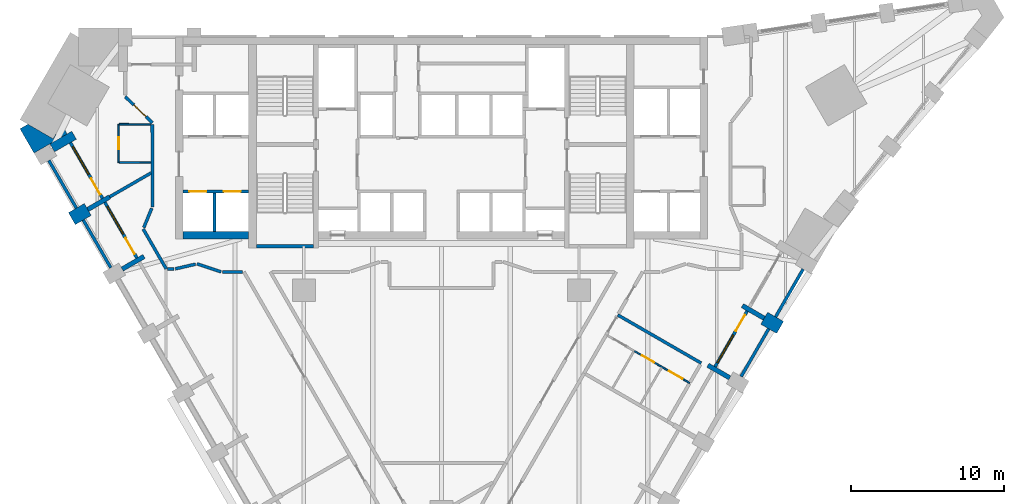
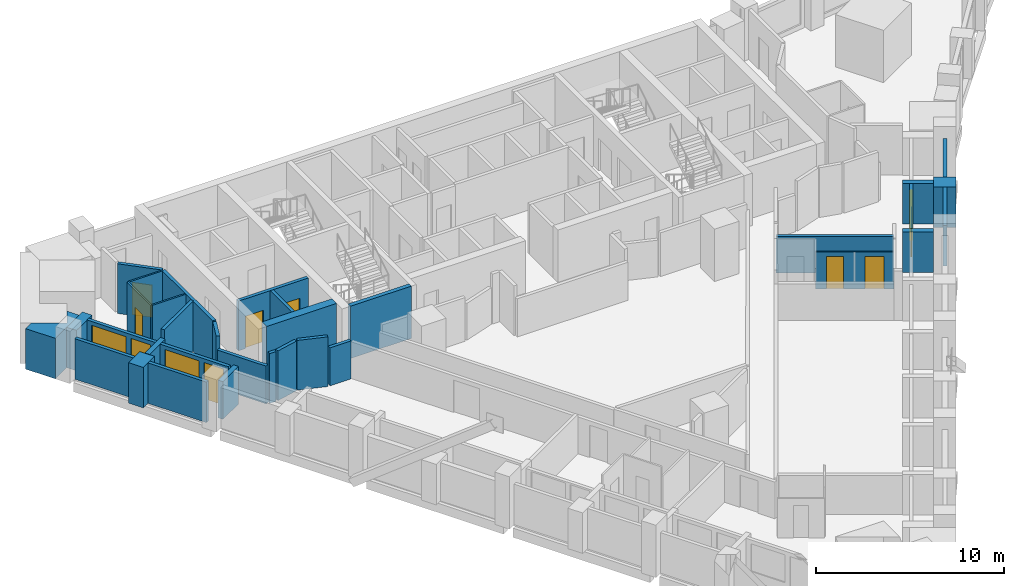
# One storey, part 5 of 10: 33 walls, 9 doors, 3 windows, 12 openings.
"""IFC4 building model written with IfcOpenShell, lengths in metres."""

from ifc_helpers import new_model, si_unit, direction, frame, frame_2d, origin, place, context, subcontext, project, spatial, polyline, rectangle, outline, extrude, material, layer, layer_set, type_object, element, fill, save


model = new_model("IFC4")

# Units and contexts
model_context = context("Model", 3, precision=1e-05, world=origin(), true_north=direction((0.0, 1.0)))
body_context = subcontext(model_context, "Body", "Model", "MODEL_VIEW")
ifc_project = project(units=[si_unit("LENGTHUNIT", "METRE"), si_unit("AREAUNIT", "SQUARE_METRE"), si_unit("VOLUMEUNIT", "CUBIC_METRE"), si_unit("PLANEANGLEUNIT", "RADIAN"), si_unit("MASSUNIT", "GRAM", prefix="KILO")], contexts=[model_context])

# Site, building, storey
site_placement = place(None, origin())
site = spatial("IfcSite", under=ifc_project, at=site_placement, CompositionType="ELEMENT")
building_placement = place(site_placement, origin())
building = spatial("IfcBuilding", under=site, at=building_placement, Name="Calabash Gate Tower", CompositionType="ELEMENT")
storey_placement = place(building_placement, frame((0.0, 0.0, 105.39990234375)))
storey = spatial("IfcBuildingStorey", under=building, at=storey_placement, Name="L23", CompositionType="ELEMENT", Elevation=105.39990234375)

# Walls
ifc_material_1 = material(Name="Terracotta brick masonry, exposed face", Category="masonry")
ifc_layer_1 = layer(ifc_material_1, 2.5)
ifc_layer_set_1 = layer_set([ifc_layer_1], Name="Brick corner mass wall 2500")
wall_type_1 = type_object("IfcWallType", Name="Brick corner mass wall 2500", PredefinedType="SOLIDWALL", material=ifc_layer_set_1)
wall_1_placement = place(storey_placement, origin())
element("IfcWall", 1, at=wall_1_placement, inside=storey, type_object=wall_type_1, Name="Brick corner pier S06 3c", PredefinedType="SOLIDWALL", context=body_context, shape_type="SweptSolid", body=[
    extrude(outline(polyline([(-24.837158203125, 13.3544921875), (-25.3857421875, 12.404541015625), (-27.03125, 13.3544921875), (-27.55078125, 13.054443359375), (-26.634521484375, 11.467529296875), (-24.469482421875, 12.717529296875), (-24.837158203125, 13.3544921875)])), origin(), (0.0, 0.0, 1.0), 2.630126953125),
])
ifc_material_2 = material(Name="Terracotta brick masonry, exposed face", Category="masonry")
ifc_layer_2 = layer(ifc_material_2, 1.199951171875)
ifc_layer_set_2 = layer_set([ifc_layer_2], Name="Brick end wall 1200")
wall_type_2 = type_object("IfcWallType", Name="Brick end wall 1200", PredefinedType="SOLIDWALL", material=ifc_layer_set_2)
wall_2_placement = place(storey_placement, frame((-24.159423828125, 7.1806640625, 0.0), z_axis=(0.0, 0.0, 1.0), x_axis=(0.866043267704, 0.499969057507, 0.0)))
element("IfcWall", 2, at=wall_2_placement, inside=storey, type_object=wall_type_2, Name="Brick pier S06 SW0.1", PredefinedType="SOLIDWALL", context=body_context, shape_type="SweptSolid", body=[
    extrude(rectangle(XDim=1.19970703125, YDim=0.89990234375, at=frame_2d((0.599853515625, 0.0))), origin(), (0.0, 0.0, 1.0), 2.630126953125),
])
wall_3_placement = place(storey_placement, frame((22.13671875, 0.0703125, 0.0), z_axis=(0.0, 0.0, 1.0), x_axis=(-0.865955154139, 0.50012165622, 0.0)))
element("IfcWall", 3, at=wall_3_placement, inside=storey, type_object=wall_type_2, Name="Brick pier S06 SE2.7", PredefinedType="SOLIDWALL", context=body_context, shape_type="SweptSolid", body=[
    extrude(rectangle(XDim=1.199951171875, YDim=0.89990234375, at=frame_2d((0.60009765625, 0.0))), origin(), (0.0, 0.0, 1.0), 2.630126953125),
])
ifc_material_3 = material(Name="Terracotta brick masonry, exposed face", Category="masonry")
ifc_layer_3 = layer(ifc_material_3, 0.300048828125)
ifc_layer_set_3 = layer_set([ifc_layer_3], Name="Brick loggia cheek wall 300")
wall_type_3 = type_object("IfcWallType", Name="Brick loggia cheek wall 300", PredefinedType="SOLIDWALL", material=ifc_layer_set_3)
wall_4_placement = place(storey_placement, frame((-25.4453125, 11.8076171875, 0.0), z_axis=(0.0, 0.0, 1.0), x_axis=(0.866040211805, 0.499974350878, 0.0)))
element("IfcWall", 4, at=wall_4_placement, inside=storey, type_object=wall_type_3, Name="Loggia cheek S06 SW0.0", PredefinedType="SOLIDWALL", context=body_context, shape_type="SweptSolid", body=[
    extrude(rectangle(XDim=1.64990234375, YDim=0.60009765625, at=frame_2d((0.824951171875, 0.0))), origin(), (0.0, 0.0, 1.0), 2.630126953125),
])
wall_5_placement = place(storey_placement, frame((-23.120361328125, 7.780517578125, 0.0), z_axis=(0.0, 0.0, 1.0), x_axis=(0.865976140824, 0.500085316245, 0.0)))
element("IfcWall", 5, at=wall_5_placement, inside=storey, type_object=wall_type_3, Name="Loggia cheek S06 SW0.1", PredefinedType="SOLIDWALL", context=body_context, shape_type="SweptSolid", body=[
    extrude(rectangle(XDim=1.650146484375, YDim=0.300048828125, at=frame_2d((0.8251953125, 0.0))), origin(), (0.0, 0.0, 1.0), 2.650146484375),
])
wall_6_placement = place(storey_placement, frame((-20.870361328125, 3.883544921875, 0.0), z_axis=(0.0, 0.0, 1.0), x_axis=(0.866040211805, 0.499974350878, 0.0)))
element("IfcWall", 6, at=wall_6_placement, inside=storey, type_object=wall_type_3, Name="Loggia cheek S06 SW0.2", PredefinedType="SOLIDWALL", context=body_context, shape_type="SweptSolid", body=[
    extrude(rectangle(XDim=1.64990234375, YDim=0.300048828125, at=frame_2d((0.824951171875, 0.0))), origin(), (0.0, 0.0, 1.0), 2.4501953125),
])
wall_7_placement = place(storey_placement, frame((17.418701171875, -2.40185546875, 0.0), z_axis=(0.0, 0.0, 1.0), x_axis=(0.866003217194, -0.500038426333, 0.0)))
element("IfcWall", 7, at=wall_7_placement, inside=storey, type_object=wall_type_3, Name="Loggia cheek S06 SE2.6", PredefinedType="SOLIDWALL", context=body_context, shape_type="SweptSolid", body=[
    extrude(rectangle(XDim=1.649658203125, YDim=0.300048828125, at=frame_2d((0.82470703125, 0.0))), origin(), (0.0, 0.0, 1.0), 2.650146484375),
])
wall_8_placement = place(storey_placement, frame((21.09765625, 0.67041015625, 0.0), z_axis=(0.0, 0.0, 1.0), x_axis=(-0.866040211805, 0.499974350878, 0.0)))
element("IfcWall", 8, at=wall_8_placement, inside=storey, type_object=wall_type_3, Name="Loggia cheek S06 SE2.7", PredefinedType="SOLIDWALL", context=body_context, shape_type="SweptSolid", body=[
    extrude(rectangle(XDim=1.64990234375, YDim=0.300048828125, at=frame_2d((0.824951171875, 0.0))), origin(), (0.0, 0.0, 1.0), 2.650146484375),
])
ifc_material_4 = material(Name="Concrete C80/95", Category="concrete")
ifc_layer_4 = layer(ifc_material_4, 0.25)
ifc_layer_set_4 = layer_set([ifc_layer_4], Name="Core wall 250 Concrete C80/95")
wall_type_4 = type_object("IfcWallType", Name="Core wall 250 Concrete C80/95", PredefinedType="SHEAR", material=ifc_layer_set_4)
wall_9_placement = place(storey_placement, frame((-12.10009765625, 5.377685546875, 0.0), z_axis=(0.0, 0.0, 1.0), x_axis=(1.0, 0.0, 0.0)))
element("IfcWall", 9, at=wall_9_placement, inside=storey, type_object=wall_type_4, Name="Core wall Z2-SSW L23", PredefinedType="SHEAR", context=body_context, shape_type="SweptSolid", body=[
    extrude(rectangle(XDim=3.75, YDim=0.25, at=frame_2d((1.875, 0.0))), origin(), (0.0, 0.0, 1.0), 3.400146484375),
])
ifc_material_5 = material(Name="Concrete C80/95", Category="concrete")
ifc_layer_5 = layer(ifc_material_5, 0.5)
ifc_layer_set_5 = layer_set([ifc_layer_5], Name="Core wall 500 Concrete C80/95")
wall_type_5 = type_object("IfcWallType", Name="Core wall 500 Concrete C80/95", PredefinedType="SHEAR", material=ifc_layer_set_5)
wall_10_placement = place(storey_placement, frame((-12.60009765625, 6.1025390625, 0.0), z_axis=(0.0, 0.0, 1.0), x_axis=(-1.0, 0.0, 0.0)))
element("IfcWall", 10, at=wall_10_placement, inside=storey, type_object=wall_type_5, Name="Core wall Z2-SW L23", PredefinedType="SHEAR", context=body_context, shape_type="SweptSolid", body=[
    extrude(rectangle(XDim=4.2998046875, YDim=0.5, at=frame_2d((2.14990234375, 0.0))), origin(), (0.0, 0.0, 1.0), 3.400146484375),
])

# Wall, openings, doors
ifc_material_6 = material(Name="Gypsum board on steel studs, mineral wool", Category="steel")
ifc_layer_6 = layer(ifc_material_6, 0.10009765625)
ifc_layer_set_6 = layer_set([ifc_layer_6], Name="Partition 100 gypsum board")
wall_type_6 = type_object("IfcWallType", Name="Partition 100 gypsum board", PredefinedType="PARTITIONING", material=ifc_layer_set_6)
wall_11_placement = place(storey_placement, frame((12.59326171875, -1.46337890625, 0.0), z_axis=(0.0, 0.0, 1.0), x_axis=(0.866022890907, -0.500004352405, 0.0)))
wall_11 = element("IfcWall", 11, at=wall_11_placement, inside=storey, type_object=wall_type_6, Name="Partition", PredefinedType="PARTITIONING", context=body_context, shape_type="SweptSolid", body=[
    extrude(rectangle(XDim=4.1982421875, YDim=0.10009765625, at=frame_2d((2.09912109375, 0.0))), origin(), (0.0, 0.0, 1.0), 2.38427734375),
])
opening_1_placement = place(wall_11_placement, frame((0.59814453125, 0.0, 0.0)))
opening_1 = element("IfcOpeningElement", 12, at=opening_1_placement, cuts=wall_11, Name="Opening 22-24-014", PredefinedType="OPENING", context=body_context, shape_type="SweptSolid", body=[
    extrude(rectangle(XDim=0.89990234375, YDim=2.10009765625, at=frame_2d((0.449951171875, 1.050048828125))), frame((0.0, 0.06005859375, 0.0), z_axis=(0.0, -1.0, 0.0), x_axis=(1.0, 0.0, 0.0)), (0.0, 0.0, 1.0), 0.1201171875),
])
opening_2_placement = place(wall_11_placement, frame((2.648193359375, 0.0, 0.0)))
opening_2 = element("IfcOpeningElement", 13, at=opening_2_placement, cuts=wall_11, Name="Opening 22-24-015", PredefinedType="OPENING", context=body_context, shape_type="SweptSolid", body=[
    extrude(rectangle(XDim=1.0, YDim=2.10009765625, at=frame_2d((0.5, 1.050048828125))), frame((0.0, 0.06005859375, 0.0), z_axis=(0.0, -1.0, 0.0), x_axis=(1.0, 0.0, 0.0)), (0.0, 0.0, 1.0), 0.1201171875),
])
ifc_material_7 = material(Name="Painted timber door", Category="wood")
door_type_1 = type_object("IfcDoorType", Name="WD1 WC door 900x2100", OperationType="NOTDEFINED", PredefinedType="DOOR", material=ifc_material_7)
door_1_placement = place(opening_1_placement, origin())
door_1 = element("IfcDoor", 14, at=door_1_placement, inside=storey, type_object=door_type_1, Name="WC door", OperationType="SINGLE_SWING_RIGHT", OverallHeight=2.10009765625, OverallWidth=0.89990234375, PredefinedType="DOOR", context=body_context, shape_type="SweptSolid", body=[
    extrude(rectangle(XDim=0.89990234375, YDim=2.10009765625, at=frame_2d((0.449951171875, 1.050048828125))), frame((0.0, 0.02490234375, 0.0), z_axis=(0.0, -1.0, 0.0), x_axis=(1.0, 0.0, 0.0)), (0.0, 0.0, 1.0), 0.050048828125),
])
fill(opening_1, door_1)
ifc_material_8 = material(Name="Painted timber door", Category="wood")
door_type_2 = type_object("IfcDoorType", Name="WD2 Accessible WC door 1000x2100", OperationType="NOTDEFINED", PredefinedType="DOOR", material=ifc_material_8)
door_2_placement = place(opening_2_placement, origin())
door_2 = element("IfcDoor", 15, at=door_2_placement, inside=storey, type_object=door_type_2, Name="Accessible WC door", OperationType="SINGLE_SWING_LEFT", OverallHeight=2.10009765625, OverallWidth=1.0, PredefinedType="DOOR", context=body_context, shape_type="SweptSolid", body=[
    extrude(rectangle(XDim=1.0, YDim=2.10009765625, at=frame_2d((0.5, 1.050048828125))), frame((0.0, 0.02490234375, 0.0), z_axis=(0.0, -1.0, 0.0), x_axis=(1.0, 0.0, 0.0)), (0.0, 0.0, 1.0), 0.050048828125),
])
fill(opening_2, door_2)

# Wall
wall_12_placement = place(storey_placement, frame((-21.050537109375, 10.852294921875, 0.0), z_axis=(0.0, 0.0, 1.0), x_axis=(0.99999965253, 0.000833630769, 0.0)))
element("IfcWall", 16, at=wall_12_placement, inside=storey, type_object=wall_type_6, Name="Partition", PredefinedType="PARTITIONING", context=body_context, shape_type="SweptSolid", body=[
    extrude(rectangle(XDim=2.050048828125, YDim=0.10009765625, at=frame_2d((1.02490234375, 0.0))), origin(), (0.0, 0.0, 1.0), 3.22998046875),
])

# Wall, opening, door
wall_13_placement = place(storey_placement, frame((-21.1005859375, 10.852294921875, 0.0), z_axis=(0.0, 0.0, 1.0), x_axis=(0.0, 1.0, 0.0)))
wall_13 = element("IfcWall", 17, at=wall_13_placement, inside=storey, type_object=wall_type_6, Name="Partition", PredefinedType="PARTITIONING", context=body_context, shape_type="SweptSolid", body=[
    extrude(rectangle(XDim=2.5, YDim=0.10009765625, at=frame_2d((1.25, 0.0))), origin(), (0.0, 0.0, 1.0), 3.22998046875),
])
opening_3_placement = place(wall_13_placement, frame((0.85009765625, 0.0, 0.0)))
opening_3 = element("IfcOpeningElement", 18, at=opening_3_placement, cuts=wall_13, Name="Opening 22-24-009", PredefinedType="OPENING", context=body_context, shape_type="SweptSolid", body=[
    extrude(rectangle(XDim=0.800048828125, YDim=2.10009765625, at=frame_2d((0.39990234375, 1.050048828125))), frame((0.0, 0.06005859375, 0.0), z_axis=(0.0, -1.0, 0.0), x_axis=(1.0, 0.0, 0.0)), (0.0, 0.0, 1.0), 0.1201171875),
])
ifc_material_9 = material(Name="Painted timber door", Category="wood")
door_type_3 = type_object("IfcDoorType", Name="GD5 En-suite door 800x2100", OperationType="NOTDEFINED", PredefinedType="DOOR", material=ifc_material_9)
door_3_placement = place(opening_3_placement, origin())
door_3 = element("IfcDoor", 19, at=door_3_placement, inside=storey, type_object=door_type_3, Name="En-suite door", OperationType="SINGLE_SWING_RIGHT", OverallHeight=2.10009765625, OverallWidth=0.800048828125, PredefinedType="DOOR", context=body_context, shape_type="SweptSolid", body=[
    extrude(rectangle(XDim=0.800048828125, YDim=2.10009765625, at=frame_2d((0.39990234375, 1.050048828125))), frame((0.0, 0.02490234375, 0.0), z_axis=(0.0, -1.0, 0.0), x_axis=(1.0, 0.0, 0.0)), (0.0, 0.0, 1.0), 0.050048828125),
])
fill(opening_3, door_3)

# Walls
wall_14_placement = place(storey_placement, frame((-21.050537109375, 13.352294921875, 0.0), z_axis=(0.0, 0.0, 1.0), x_axis=(0.99999965253, -0.000833630769, 0.0)))
element("IfcWall", 20, at=wall_14_placement, inside=storey, type_object=wall_type_6, Name="Partition", PredefinedType="PARTITIONING", context=body_context, shape_type="SweptSolid", body=[
    extrude(rectangle(XDim=2.050048828125, YDim=0.10009765625, at=frame_2d((1.02490234375, 0.0))), origin(), (0.0, 0.0, 1.0), 3.22998046875),
])
ifc_material_10 = material(Name="Gypsum board on steel studs, mineral wool", Category="steel")
ifc_layer_7 = layer(ifc_material_10, 0.199951171875)
ifc_layer_set_7 = layer_set([ifc_layer_7], Name="Partition 200 gypsum board EI 60")
wall_type_7 = type_object("IfcWallType", Name="Partition 200 gypsum board EI 60", PredefinedType="PARTITIONING", material=ifc_layer_set_7)
wall_15_placement = place(storey_placement, frame((11.52490234375, 0.885986328125, 0.0), z_axis=(0.0, 0.0, 1.0), x_axis=(0.866148153111, -0.499787331635, 0.0)))
element("IfcWall", 21, at=wall_15_placement, inside=storey, type_object=wall_type_7, Name="Partition", PredefinedType="PARTITIONING", context=body_context, shape_type="SweptSolid", body=[
    extrude(rectangle(XDim=6.298095703125, YDim=0.199951171875, at=frame_2d((3.14892578125, 0.0))), origin(), (0.0, 0.0, 1.0), 2.38427734375),
])
wall_16_placement = place(storey_placement, frame((-14.300048828125, 3.699462890625, 0.0), z_axis=(0.0, 0.0, 1.0), x_axis=(1.0, 0.0, 0.0)))
element("IfcWall", 22, at=wall_16_placement, inside=storey, type_object=wall_type_7, Name="Partition", PredefinedType="PARTITIONING", context=body_context, shape_type="SweptSolid", body=[
    extrude(rectangle(XDim=1.287353515625, YDim=0.199951171875, at=frame_2d((0.6435546875, 0.0))), origin(), (0.0, 0.0, 1.0), 2.4736328125),
])
wall_17_placement = place(storey_placement, frame((-17.8935546875, 3.89990234375, 0.0), z_axis=(0.0, 0.0, 1.0), x_axis=(0.999999807585, -0.000620347275, 0.0)))
element("IfcWall", 23, at=wall_17_placement, inside=storey, type_object=wall_type_7, Name="Partition", PredefinedType="PARTITIONING", context=body_context, shape_type="SweptSolid", body=[
    extrude(rectangle(XDim=0.3935546875, YDim=0.199951171875, at=frame_2d((0.19677734375, 0.0))), origin(), (0.0, 0.0, 1.0), 3.22998046875),
])
wall_18_placement = place(storey_placement, frame((-17.39990234375, 3.8994140625, 0.0), z_axis=(0.0, 0.0, 1.0), x_axis=(0.974284755848, 0.225320248808, 0.0)))
element("IfcWall", 24, at=wall_18_placement, inside=storey, type_object=wall_type_7, Name="Partition", PredefinedType="PARTITIONING", context=body_context, shape_type="SweptSolid", body=[
    extrude(rectangle(XDim=1.3544921875, YDim=0.199951171875, at=frame_2d((0.67724609375, 0.0))), origin(), (0.0, 0.0, 1.0), 3.22998046875),
])
wall_19_placement = place(storey_placement, frame((-15.98291015625, 4.22705078125, 0.0), z_axis=(0.0, 0.0, 1.0), x_axis=(0.948683298051, -0.316227766017, 0.0)))
element("IfcWall", 25, at=wall_19_placement, inside=storey, type_object=wall_type_7, Name="Partition", PredefinedType="PARTITIONING", context=body_context, shape_type="SweptSolid", body=[
    extrude(rectangle(XDim=1.66845703125, YDim=0.199951171875, at=frame_2d((0.834228515625, 0.0))), origin(), (0.0, 0.0, 1.0), 3.22998046875),
])
wall_20_placement = place(storey_placement, frame((-19.496826171875, 6.50390625, 0.0), z_axis=(0.0, 0.0, 1.0), x_axis=(0.499938005563, -0.866061193331, 0.0)))
element("IfcWall", 26, at=wall_20_placement, inside=storey, type_object=wall_type_7, Name="Partition", PredefinedType="PARTITIONING", context=body_context, shape_type="SweptSolid", body=[
    extrude(rectangle(XDim=3.0068359375, YDim=0.199951171875, at=frame_2d((1.50341796875, 0.0))), origin(), (0.0, 0.0, 1.0), 2.4501953125),
])
wall_21_placement = place(storey_placement, frame((-19.458740234375, 6.596435546875, 0.0), z_axis=(0.0, 0.0, 1.0), x_axis=(0.380552104402, 0.924759479992, 0.0)))
element("IfcWall", 27, at=wall_21_placement, inside=storey, type_object=wall_type_7, Name="Partition", PredefinedType="PARTITIONING", context=body_context, shape_type="SweptSolid", body=[
    extrude(rectangle(XDim=1.366455078125, YDim=0.199951171875, at=frame_2d((0.68310546875, 0.0))), origin(), (0.0, 0.0, 1.0), 3.22998046875),
])
wall_22_placement = place(storey_placement, frame((-21.69140625, 8.605712890625, 0.0), z_axis=(0.0, 0.0, 1.0), x_axis=(0.866035862278, 0.499981884921, 0.0)))
element("IfcWall", 28, at=wall_22_placement, inside=storey, type_object=wall_type_7, Name="Partition", PredefinedType="PARTITIONING", context=body_context, shape_type="SweptSolid", body=[
    extrude(rectangle(XDim=3.12255859375, YDim=0.199951171875, at=frame_2d((1.561279296875, 0.0))), origin(), (0.0, 0.0, 1.0), 3.22998046875),
])
wall_23_placement = place(storey_placement, frame((-18.904052734375, 13.352294921875, 0.0), z_axis=(0.0, 0.0, 1.0), x_axis=(0.000678211175, -0.999999770015, 0.0)))
element("IfcWall", 29, at=wall_23_placement, inside=storey, type_object=wall_type_7, Name="Partition", PredefinedType="PARTITIONING", context=body_context, shape_type="SweptSolid", body=[
    extrude(rectangle(XDim=5.399658203125, YDim=0.199951171875, at=frame_2d((2.69970703125, 0.0))), origin(), (0.0, 0.0, 1.0), 3.22998046875),
])

# Wall, opening, door
wall_24_placement = place(storey_placement, frame((-20.66943359375, 15.15234375, 0.0), z_axis=(0.0, 0.0, 1.0), x_axis=(0.721047194307, -0.692885952796, 0.0)))
wall_24 = element("IfcWall", 30, at=wall_24_placement, inside=storey, type_object=wall_type_7, Name="Partition", PredefinedType="PARTITIONING", context=body_context, shape_type="SweptSolid", body=[
    extrude(rectangle(XDim=2.453369140625, YDim=0.199951171875, at=frame_2d((1.2265625, 0.0))), origin(), (0.0, 0.0, 1.0), 3.22998046875),
])
opening_4_placement = place(wall_24_placement, frame((0.776611328125, 0.0, 0.0)))
opening_4 = element("IfcOpeningElement", 31, at=opening_4_placement, cuts=wall_24, Name="Opening 22-24-016", PredefinedType="OPENING", context=body_context, shape_type="SweptSolid", body=[
    extrude(rectangle(XDim=1.10009765625, YDim=2.10009765625, at=frame_2d((0.550048828125, 1.050048828125))), frame((0.0, 0.10986328125, 0.0), z_axis=(0.0, -1.0, 0.0), x_axis=(1.0, 0.0, 0.0)), (0.0, 0.0, 1.0), 0.219970703125),
])
ifc_material_11 = material(Name="Steel fire door set with fire-resisting glazing", Category="steel")
door_type_4 = type_object("IfcDoorType", Name="GD3 Suite entrance door 1100x2100", OperationType="NOTDEFINED", PredefinedType="DOOR", material=ifc_material_11)
door_4_placement = place(opening_4_placement, origin())
door_4 = element("IfcDoor", 32, at=door_4_placement, inside=storey, type_object=door_type_4, Name="Suite entrance door", OperationType="SINGLE_SWING_LEFT", OverallHeight=2.10009765625, OverallWidth=1.10009765625, PredefinedType="DOOR", context=body_context, shape_type="SweptSolid", body=[
    extrude(rectangle(XDim=1.10009765625, YDim=2.10009765625, at=frame_2d((0.550048828125, 1.050048828125))), frame((0.0, 0.02490234375, 0.0), z_axis=(0.0, -1.0, 0.0), x_axis=(1.0, 0.0, 0.0)), (0.0, 0.0, 1.0), 0.050048828125),
])
fill(opening_4, door_4)

# Wall
ifc_material_12 = material(Name="Concrete C40/50", Category="concrete")
ifc_layer_8 = layer(ifc_material_12, 0.199951171875)
ifc_layer_set_8 = layer_set([ifc_layer_8], Name="Shaft wall 200 Concrete C40/50")
wall_type_8 = type_object("IfcWallType", Name="Shaft wall 200 Concrete C40/50", PredefinedType="SOLIDWALL", material=ifc_layer_set_8)
wall_25_placement = place(storey_placement, frame((-14.85009765625, 6.3525390625, 0.0), z_axis=(0.0, 0.0, 1.0), x_axis=(0.0, 1.0, 0.0)))
element("IfcWall", 33, at=wall_25_placement, inside=storey, type_object=wall_type_8, Name="Shaft wall", PredefinedType="SOLIDWALL", context=body_context, shape_type="SweptSolid", body=[
    extrude(rectangle(XDim=2.5, YDim=0.199951171875, at=frame_2d((1.25, 0.0))), origin(), (0.0, 0.0, 1.0), 3.22998046875),
])

# Wall, openings, doors
wall_26_placement = place(storey_placement, frame((-16.89990234375, 8.95263671875, 0.0), z_axis=(0.0, 0.0, 1.0), x_axis=(1.0, 0.0, 0.0)))
wall_26 = element("IfcWall", 34, at=wall_26_placement, inside=storey, type_object=wall_type_8, Name="Shaft wall", PredefinedType="SOLIDWALL", context=body_context, shape_type="SweptSolid", body=[
    extrude(rectangle(XDim=4.2998046875, YDim=0.199951171875, at=frame_2d((2.14990234375, 0.0))), origin(), (0.0, 0.0, 1.0), 3.22998046875),
])
opening_5_placement = place(wall_26_placement, frame((2.675048828125, 0.0, 0.0)))
opening_5 = element("IfcOpeningElement", 35, at=opening_5_placement, cuts=wall_26, Name="Opening LD-LR1", PredefinedType="OPENING", context=body_context, shape_type="SweptSolid", body=[
    extrude(rectangle(XDim=1.10009765625, YDim=2.10009765625, at=frame_2d((0.550048828125, 1.050048828125))), frame((0.0, 0.10986328125, 0.0), z_axis=(0.0, -1.0, 0.0), x_axis=(1.0, 0.0, 0.0)), (0.0, 0.0, 1.0), 0.219970703125),
])
opening_6_placement = place(wall_26_placement, frame((0.425048828125, 0.0, 0.0)))
opening_6 = element("IfcOpeningElement", 36, at=opening_6_placement, cuts=wall_26, Name="Opening LD-LR2", PredefinedType="OPENING", context=body_context, shape_type="SweptSolid", body=[
    extrude(rectangle(XDim=1.10009765625, YDim=2.10009765625, at=frame_2d((0.550048828125, 1.050048828125))), frame((0.0, 0.10986328125, 0.0), z_axis=(0.0, -1.0, 0.0), x_axis=(1.0, 0.0, 0.0)), (0.0, 0.0, 1.0), 0.219970703125),
])
ifc_material_13 = material(Name="Stainless steel sliding door leaves", Category="steel")
door_type_5 = type_object("IfcDoorType", Name="Lift landing door LS1 1100x2100 FD90", OperationType="DOUBLE_DOOR_SLIDING", PredefinedType="DOOR", material=ifc_material_13)
door_5_placement = place(opening_5_placement, origin())
door_5 = element("IfcDoor", 37, at=door_5_placement, inside=storey, type_object=door_type_5, Name="Lift landing door LR1", OperationType="DOUBLE_DOOR_SLIDING", OverallHeight=2.10009765625, OverallWidth=1.10009765625, PredefinedType="DOOR", context=body_context, shape_type="SweptSolid", body=[
    extrude(rectangle(XDim=1.10009765625, YDim=2.10009765625, at=frame_2d((0.550048828125, 1.050048828125))), frame((0.0, 0.02490234375, 0.0), z_axis=(0.0, -1.0, 0.0), x_axis=(1.0, 0.0, 0.0)), (0.0, 0.0, 1.0), 0.050048828125),
])
fill(opening_5, door_5)
door_6_placement = place(opening_6_placement, origin())
door_6 = element("IfcDoor", 38, at=door_6_placement, inside=storey, type_object=door_type_5, Name="Lift landing door LR2", OperationType="DOUBLE_DOOR_SLIDING", OverallHeight=2.10009765625, OverallWidth=1.10009765625, PredefinedType="DOOR", context=body_context, shape_type="SweptSolid", body=[
    extrude(rectangle(XDim=1.10009765625, YDim=2.10009765625, at=frame_2d((0.550048828125, 1.050048828125))), frame((0.0, 0.02490234375, 0.0), z_axis=(0.0, -1.0, 0.0), x_axis=(1.0, 0.0, 0.0)), (0.0, 0.0, 1.0), 0.050048828125),
])
fill(opening_6, door_6)

# Walls
ifc_material_14 = material(Name="Terracotta brick masonry, perforated", Category="masonry")
ifc_layer_9 = layer(ifc_material_14, 0.199951171875)
ifc_layer_set_9 = layer_set([ifc_layer_9], Name="Terracotta jaali screen B")
wall_type_9 = type_object("IfcWallType", Name="Terracotta jaali screen B", PredefinedType="SOLIDWALL", material=ifc_layer_set_9)
for number, where, z_axis, x_axis, name in (
    (39, (-25.664794921875, 10.988037109375, 0.0), (0.0, 0.0, 1.0), (0.499961193289, -0.866047807691, 0.0), "SCREEN B S06 SW0.1"),
    (40, (-23.414794921875, 7.0908203125, 0.0), (0.0, 0.0, 1.0), (0.499961193289, -0.866047807691, 0.0), "SCREEN B S06 SW0.2"),
):
    element("IfcWall", number, at=place(storey_placement, frame(where, z_axis=z_axis, x_axis=x_axis)), inside=storey, type_object=wall_type_9, Name=name, PredefinedType="SOLIDWALL", context=body_context, shape_type="SweptSolid", body=[
        extrude(rectangle(XDim=3.599853515625, YDim=0.199951171875, at=frame_2d((1.7998046875, 0.0))), origin(), (0.0, 0.0, 1.0), 2.630126953125),
    ])
for number, where, z_axis, x_axis, name in (
    (41, (19.592041015625, -3.136962890625, 0.0), (0.0, 0.0, 1.0), (0.500012057535, 0.866018442252, 0.0), "SCREEN B S06 SE2.7"),
    (42, (21.842041015625, 0.760009765625, 0.0), (0.0, 0.0, 1.0), (0.500012057535, 0.866018442252, 0.0), "SCREEN B S06 SE2.8"),
):
    element("IfcWall", number, at=place(storey_placement, frame(where, z_axis=z_axis, x_axis=x_axis)), inside=storey, type_object=wall_type_9, Name=name, PredefinedType="SOLIDWALL", context=body_context, shape_type="SweptSolid", body=[
        extrude(rectangle(XDim=3.60009765625, YDim=0.199951171875, at=frame_2d((1.800048828125, 0.0))), origin(), (0.0, 0.0, 1.0), 2.630126953125),
    ])

# Wall, openings, door, window
ifc_material_15 = material(Name="Aluminium framed window wall with insulated spandrel", Category="aluminium")
ifc_layer_10 = layer(ifc_material_15, 0.199951171875)
ifc_layer_set_10 = layer_set([ifc_layer_10], Name="Window wall 200")
wall_type_10 = type_object("IfcWallType", Name="Window wall 200", PredefinedType="ELEMENTEDWALL", material=ifc_layer_set_10)
wall_27_placement = place(storey_placement, frame((-24.256103515625, 12.147705078125, 0.0), z_axis=(0.0, 0.0, 1.0), x_axis=(0.500027713859, -0.866009402589, 0.0)))
wall_27 = element("IfcWall", 43, at=wall_27_placement, inside=storey, type_object=wall_type_10, Name="Window wall S06 SW0.1", PredefinedType="ELEMENTEDWALL", context=body_context, shape_type="SweptSolid", body=[
    extrude(rectangle(XDim=4.199951171875, YDim=0.199951171875, at=frame_2d((2.10009765625, 0.0))), origin(), (0.0, 0.0, 1.0), 2.650146484375),
])
opening_7_placement = place(wall_27_placement, frame((0.300048828125, 0.0, 0.60009765625)))
opening_7 = element("IfcOpeningElement", 44, at=opening_7_placement, cuts=wall_27, Name="Opening HW1", PredefinedType="OPENING", context=body_context, shape_type="SweptSolid", body=[
    extrude(rectangle(XDim=2.10009765625, YDim=1.800048828125, at=frame_2d((1.050048828125, 0.89990234375))), frame((0.0, 0.10986328125, 0.0), z_axis=(0.0, -1.0, 0.0), x_axis=(1.0, 0.0, 0.0)), (0.0, 0.0, 1.0), 0.219970703125),
])
opening_8_placement = place(wall_27_placement, frame((2.699951171875, 0.0, 0.0)))
opening_8 = element("IfcOpeningElement", 45, at=opening_8_placement, cuts=wall_27, Name="Opening H6-021", PredefinedType="OPENING", context=body_context, shape_type="SweptSolid", body=[
    extrude(rectangle(XDim=1.199951171875, YDim=2.39990234375, at=frame_2d((0.60009765625, 1.199951171875))), frame((0.0, 0.10986328125, 0.0), z_axis=(0.0, -1.0, 0.0), x_axis=(1.0, 0.0, 0.0)), (0.0, 0.0, 1.0), 0.219970703125),
])
ifc_material_16 = material(Name="Anodised aluminium frame, bronze finish, impact-rated laminated clear glazing", Category="aluminium")
door_type_6 = type_object("IfcDoorType", Name="Loggia door DH1 1200x2400", OperationType="SLIDING_TO_LEFT", PredefinedType="DOOR", material=ifc_material_16)
door_7_placement = place(opening_8_placement, origin())
door_7 = element("IfcDoor", 46, at=door_7_placement, inside=storey, type_object=door_type_6, Name="Loggia door S06 SW0.1", OperationType="SINGLE_SWING_LEFT", OverallHeight=2.39990234375, OverallWidth=1.199951171875, PredefinedType="DOOR", context=body_context, shape_type="SweptSolid", body=[
    extrude(rectangle(XDim=1.199951171875, YDim=2.39990234375, at=frame_2d((0.60009765625, 1.199951171875))), frame((0.0, 0.02490234375, 0.0), z_axis=(0.0, -1.0, 0.0), x_axis=(1.0, 0.0, 0.0)), (0.0, 0.0, 1.0), 0.050048828125),
])
fill(opening_8, door_7)
ifc_material_17 = material(Name="Anodised aluminium frame, bronze finish, impact-rated laminated clear glazing", Category="aluminium")
window_type = type_object("IfcWindowType", Name="Window HW1 2100x1800", PartitioningType="DOUBLE_PANEL_VERTICAL", PredefinedType="WINDOW", material=ifc_material_17)
window_1_placement = place(opening_7_placement, origin())
window_1 = element("IfcWindow", 47, at=window_1_placement, inside=storey, type_object=window_type, Name="Window HW1 S06 SW0.1", OverallHeight=1.800048828125, OverallWidth=2.10009765625, PartitioningType="SINGLE_PANEL", PredefinedType="WINDOW", context=body_context, shape_type="SweptSolid", body=[
    extrude(rectangle(XDim=2.10009765625, YDim=1.800048828125, at=frame_2d((1.050048828125, 0.89990234375))), frame((0.0, 0.030029296875, 0.0), z_axis=(0.0, -1.0, 0.0), x_axis=(1.0, 0.0, 0.0)), (0.0, 0.0, 1.0), 0.06005859375),
])
fill(opening_7, window_1)

wall_28_placement = place(storey_placement, frame((-22.006103515625, 8.250732421875, 0.0), z_axis=(0.0, 0.0, 1.0), x_axis=(0.500002543286, -0.866023935413, 0.0)))
wall_28 = element("IfcWall", 48, at=wall_28_placement, inside=storey, type_object=wall_type_10, Name="Window wall S06 SW0.2", PredefinedType="ELEMENTEDWALL", context=body_context, shape_type="SweptSolid", body=[
    extrude(rectangle(XDim=4.2001953125, YDim=0.199951171875, at=frame_2d((2.10009765625, 0.0))), origin(), (0.0, 0.0, 1.0), 2.650146484375),
])
opening_9_placement = place(wall_28_placement, frame((0.300048828125, 0.0, 0.60009765625)))
opening_9 = element("IfcOpeningElement", 49, at=opening_9_placement, cuts=wall_28, Name="Opening HW1", PredefinedType="OPENING", context=body_context, shape_type="SweptSolid", body=[
    extrude(rectangle(XDim=2.10009765625, YDim=1.800048828125, at=frame_2d((1.050048828125, 0.89990234375))), frame((0.0, 0.10986328125, 0.0), z_axis=(0.0, -1.0, 0.0), x_axis=(1.0, 0.0, 0.0)), (0.0, 0.0, 1.0), 0.219970703125),
])
opening_10_placement = place(wall_28_placement, frame((2.699951171875, 0.0, 0.0)))
opening_10 = element("IfcOpeningElement", 50, at=opening_10_placement, cuts=wall_28, Name="Opening H6-022", PredefinedType="OPENING", context=body_context, shape_type="SweptSolid", body=[
    extrude(rectangle(XDim=1.199951171875, YDim=2.39990234375, at=frame_2d((0.60009765625, 1.199951171875))), frame((0.0, 0.10986328125, 0.0), z_axis=(0.0, -1.0, 0.0), x_axis=(1.0, 0.0, 0.0)), (0.0, 0.0, 1.0), 0.219970703125),
])
door_8_placement = place(opening_10_placement, origin())
door_8 = element("IfcDoor", 51, at=door_8_placement, inside=storey, type_object=door_type_6, Name="Loggia door S06 SW0.2", OperationType="SINGLE_SWING_LEFT", OverallHeight=2.39990234375, OverallWidth=1.199951171875, PredefinedType="DOOR", context=body_context, shape_type="SweptSolid", body=[
    extrude(rectangle(XDim=1.199951171875, YDim=2.39990234375, at=frame_2d((0.60009765625, 1.199951171875))), frame((0.0, 0.02490234375, 0.0), z_axis=(0.0, -1.0, 0.0), x_axis=(1.0, 0.0, 0.0)), (0.0, 0.0, 1.0), 0.050048828125),
])
fill(opening_10, door_8)
window_2_placement = place(opening_9_placement, origin())
window_2 = element("IfcWindow", 52, at=window_2_placement, inside=storey, type_object=window_type, Name="Window HW1 S06 SW0.2", OverallHeight=1.800048828125, OverallWidth=2.10009765625, PartitioningType="SINGLE_PANEL", PredefinedType="WINDOW", context=body_context, shape_type="SweptSolid", body=[
    extrude(rectangle(XDim=2.10009765625, YDim=1.800048828125, at=frame_2d((1.050048828125, 0.89990234375))), frame((0.0, 0.030029296875, 0.0), z_axis=(0.0, -1.0, 0.0), x_axis=(1.0, 0.0, 0.0)), (0.0, 0.0, 1.0), 0.06005859375),
])
fill(opening_9, window_2)

wall_29_placement = place(storey_placement, frame((17.88330078125, -2.496826171875, 0.0), z_axis=(0.0, 0.0, 1.0), x_axis=(0.500027713859, 0.866009402589, 0.0)))
wall_29 = element("IfcWall", 53, at=wall_29_placement, inside=storey, type_object=wall_type_10, Name="Window wall S06 SE2.7", PredefinedType="ELEMENTEDWALL", context=body_context, shape_type="SweptSolid", body=[
    extrude(rectangle(XDim=4.199951171875, YDim=0.199951171875, at=frame_2d((2.10009765625, 0.0))), origin(), (0.0, 0.0, 1.0), 2.650146484375),
])
opening_11_placement = place(wall_29_placement, frame((0.300048828125, 0.0, 0.60009765625)))
opening_11 = element("IfcOpeningElement", 54, at=opening_11_placement, cuts=wall_29, Name="Opening HW1", PredefinedType="OPENING", context=body_context, shape_type="SweptSolid", body=[
    extrude(rectangle(XDim=2.10009765625, YDim=1.800048828125, at=frame_2d((1.050048828125, 0.89990234375))), frame((0.0, 0.10986328125, 0.0), z_axis=(0.0, -1.0, 0.0), x_axis=(1.0, 0.0, 0.0)), (0.0, 0.0, 1.0), 0.219970703125),
])
opening_12_placement = place(wall_29_placement, frame((2.699951171875, 0.0, 0.0)))
opening_12 = element("IfcOpeningElement", 55, at=opening_12_placement, cuts=wall_29, Name="Opening H6-019", PredefinedType="OPENING", context=body_context, shape_type="SweptSolid", body=[
    extrude(rectangle(XDim=1.199951171875, YDim=2.39990234375, at=frame_2d((0.60009765625, 1.199951171875))), frame((0.0, 0.10986328125, 0.0), z_axis=(0.0, -1.0, 0.0), x_axis=(1.0, 0.0, 0.0)), (0.0, 0.0, 1.0), 0.219970703125),
])
door_9_placement = place(opening_12_placement, origin())
door_9 = element("IfcDoor", 56, at=door_9_placement, inside=storey, type_object=door_type_6, Name="Loggia door S06 SE2.7", OperationType="SINGLE_SWING_LEFT", OverallHeight=2.39990234375, OverallWidth=1.199951171875, PredefinedType="DOOR", context=body_context, shape_type="SweptSolid", body=[
    extrude(rectangle(XDim=1.199951171875, YDim=2.39990234375, at=frame_2d((0.60009765625, 1.199951171875))), frame((0.0, 0.02490234375, 0.0), z_axis=(0.0, -1.0, 0.0), x_axis=(1.0, 0.0, 0.0)), (0.0, 0.0, 1.0), 0.050048828125),
])
fill(opening_12, door_9)
window_3_placement = place(opening_11_placement, origin())
window_3 = element("IfcWindow", 57, at=window_3_placement, inside=storey, type_object=window_type, Name="Window HW1 S06 SE2.7", OverallHeight=1.800048828125, OverallWidth=2.10009765625, PartitioningType="SINGLE_PANEL", PredefinedType="WINDOW", context=body_context, shape_type="SweptSolid", body=[
    extrude(rectangle(XDim=2.10009765625, YDim=1.800048828125, at=frame_2d((1.050048828125, 0.89990234375))), frame((0.0, 0.030029296875, 0.0), z_axis=(0.0, -1.0, 0.0), x_axis=(1.0, 0.0, 0.0)), (0.0, 0.0, 1.0), 0.06005859375),
])
fill(opening_11, window_3)

save(model, "model.ifc")
